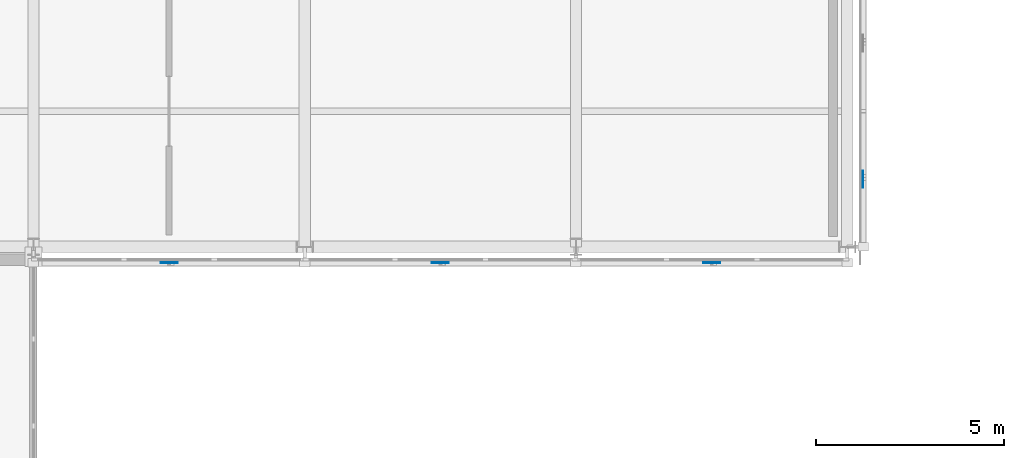
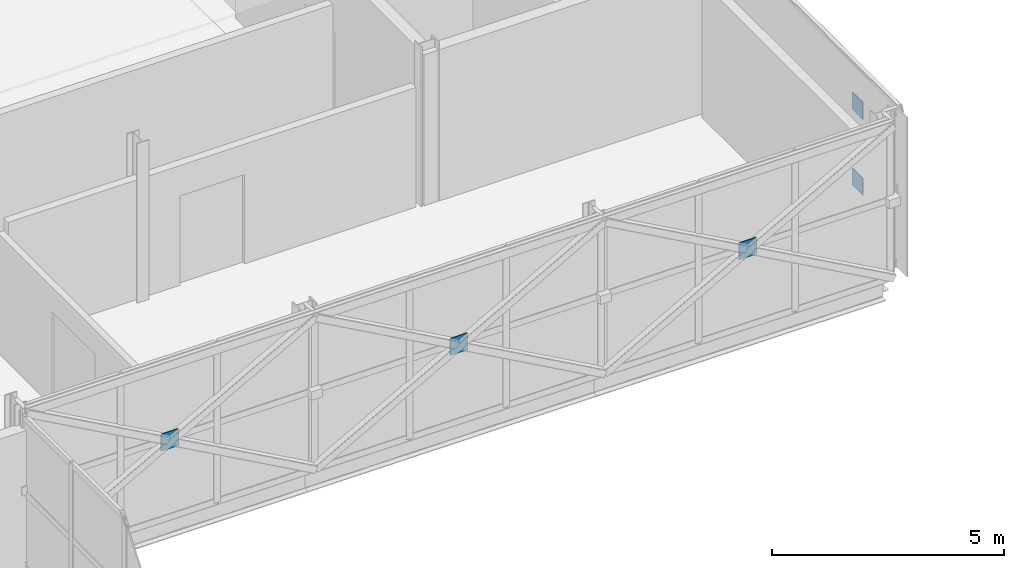
# One storey, part 109 of 146: 5 plates.
"""IFC4 building model written with IfcOpenShell, lengths in metres."""

from ifc_helpers import new_model, si_unit, direction, frame, origin, origin_2d, place, context, subcontext, project, spatial, rectangle, extrude, material, layer, layer_set, type_object, element, save


model = new_model("IFC4")

# Units and contexts
model_context = context("Model", 3, precision=1e-05, world=origin(), true_north=direction((0.0, 1.0)))
body_context = subcontext(model_context, "Body", "Model", "MODEL_VIEW")
ifc_project = project(units=[si_unit("LENGTHUNIT", "METRE"), si_unit("AREAUNIT", "SQUARE_METRE"), si_unit("VOLUMEUNIT", "CUBIC_METRE"), si_unit("PLANEANGLEUNIT", "RADIAN"), si_unit("MASSUNIT", "GRAM", prefix="KILO")], contexts=[model_context])

# Site, building, storey
site_placement = place(None, origin())
site = spatial("IfcSite", under=ifc_project, at=site_placement, CompositionType="ELEMENT")
building_placement = place(site_placement, origin())
building = spatial("IfcBuilding", under=site, at=building_placement, Name="Zlatovets Crest Museum", CompositionType="ELEMENT")
storey_placement = place(building_placement, frame((0.0, 0.0, 4.5)))
storey = spatial("IfcBuildingStorey", under=building, at=storey_placement, Name="L01", CompositionType="ELEMENT", Elevation=4.5)

# Plates
ifc_material = material(Name="Structural steel S355J2", Category="steel")
ifc_layer = layer(ifc_material, 0.02001953125)
ifc_layer_set = layer_set([ifc_layer], Name="Structural steel S355J2")
plate_type = type_object("IfcPlateType", Name="Gusset_GP-04", PredefinedType="USERDEFINED", material=ifc_layer_set)
for number, where, z_axis, x_axis, name in (
    (1, (90.0, 85.97998046875, 1.875), (0.0, 0.0, 1.0), (1.0, 0.0, 0.0), "X-Brace Crossing Node Gusset Plate GP-04"),
    (2, (97.199951171875, 85.97998046875, 1.875), (0.0, 0.0, 1.0), (1.0, 0.0, 0.0), "X-Brace Crossing Node Gusset Plate GP-04"),
    (3, (104.39990234375, 85.97998046875, 1.875), (0.0, 0.0, 1.0), (1.0, 0.0, 0.0), "X-Brace Crossing Node Gusset Plate GP-04"),
):
    element("IfcPlate", number, at=place(storey_placement, frame(where, z_axis=z_axis, x_axis=x_axis)), inside=storey, type_object=plate_type, Name=name, ObjectType="GUSSET", PredefinedType="USERDEFINED", context=body_context, shape_type="SweptSolid", body=[
        extrude(rectangle(XDim=0.449951171875, YDim=0.02001953125, at=origin_2d()), origin(), (0.0, 0.0, 1.0), 0.449951171875),
    ])
for number, where, z_axis, x_axis, name in (
    (4, (108.419921875, 88.199951171875, 0.875), (0.0, 0.0, 1.0), (1.0, 0.0, 0.0), "X-Brace Crossing Node Gusset Plate GP-04"),
    (5, (108.419921875, 88.199951171875, 2.875), (0.0, 0.0, 1.0), (1.0, 0.0, 0.0), "X-Brace Crossing Node Gusset Plate GP-04"),
):
    element("IfcPlate", number, at=place(storey_placement, frame(where, z_axis=z_axis, x_axis=x_axis)), inside=storey, type_object=plate_type, Name=name, ObjectType="GUSSET", PredefinedType="USERDEFINED", context=body_context, shape_type="SweptSolid", body=[
        extrude(rectangle(XDim=0.02001953125, YDim=0.449951171875, at=origin_2d()), origin(), (0.0, 0.0, 1.0), 0.449951171875),
    ])

save(model, "model.ifc")
